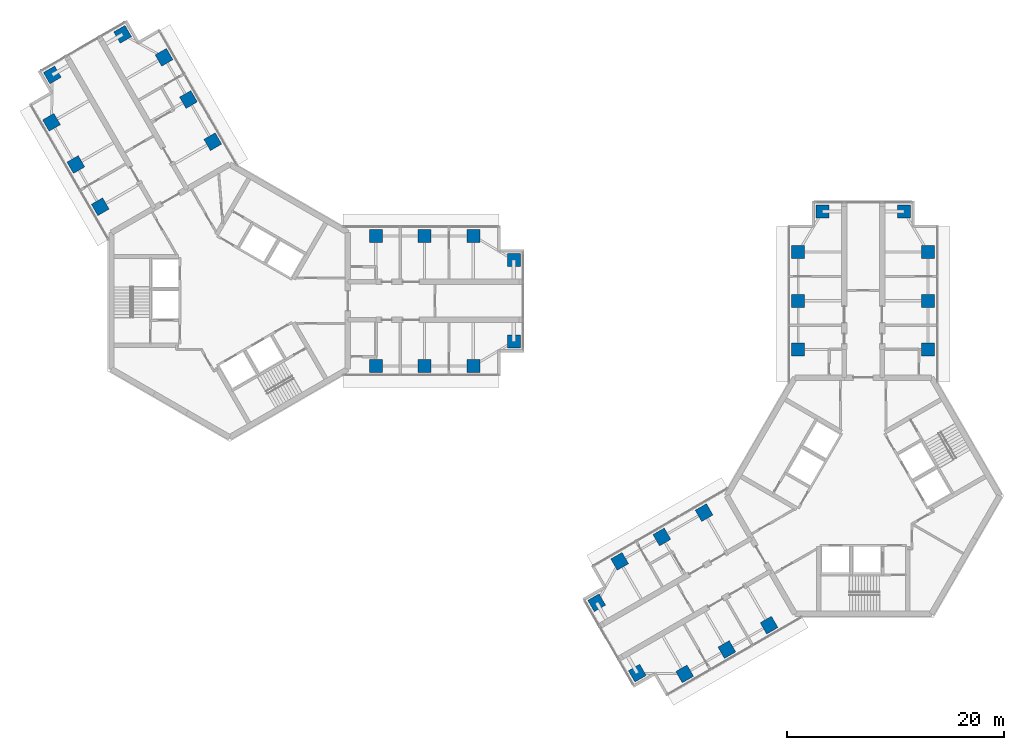
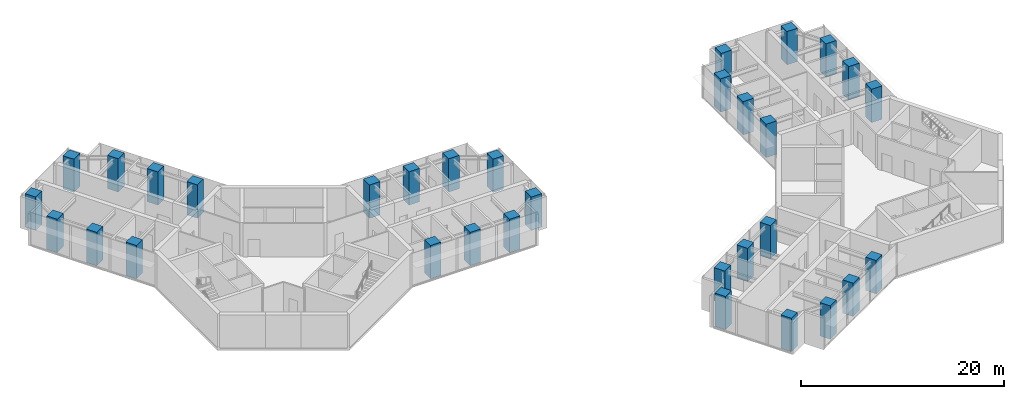
# One storey, part 1 of 17: 32 columns.
"""IFC4 building model written with IfcOpenShell, lengths in metres."""

import ifcopenshell
import ifcopenshell.guid

model = None  # the IFC model being written
_history = None  # IfcOwnerHistory: only IFC2X3 demands one
_inside = {}  # id of a spatial element -> (the spatial element, [elements in it])
_under = {}  # id of a project, library or spatial element -> (it, [spatial elements below it])
_declared = {}  # id of a project -> (the project, [libraries it declares])
_typed = {}  # id of a type object -> (the type object, [elements of that type])
_made_of = {}  # id of a material, layer set ... -> (it, [elements and type objects made of it])


def new_model(schema):
    """Start an empty IFC model of exactly this schema.

    Asked for "IFC4X3", IfcOpenShell would pick the latest addendum, in which some entities
    have other attributes; the version numbers below select the first issue.
    IFC2X3 requires an IfcOwnerHistory on every rooted entity: one is made here for all.
    """
    global model, _history
    if schema == "IFC4X3":
        model = ifcopenshell.file(schema_version=(4, 3, 0, 0))
    else:
        model = ifcopenshell.file(schema=schema)
    _inside.clear()
    _under.clear()
    _declared.clear()
    _typed.clear()
    _made_of.clear()
    _history = None
    if model.schema == "IFC2X3":
        org = make("IfcOrganization", Name="unknown")
        user = make(
            "IfcPersonAndOrganization",
            ThePerson=make("IfcPerson", FamilyName="unknown"),
            TheOrganization=org,
        )
        app = make(
            "IfcApplication",
            ApplicationDeveloper=org,
            Version="unknown",
            ApplicationFullName="unknown",
            ApplicationIdentifier="unknown",
        )
        _history = make(
            "IfcOwnerHistory",
            OwningUser=user,
            OwningApplication=app,
            ChangeAction="ADDED",
            CreationDate=0,
        )
    return model


def make(cls, **values):
    """One entity of the class cls with the attributes given. An attribute that is None is left unset."""
    return model.create_entity(
        cls, **{name: value for name, value in values.items() if value is not None}
    )


def rooted(cls, **values):
    """An entity with a GlobalId (a new one), such as an element, a storey or a relation."""
    return make(cls, GlobalId=ifcopenshell.guid.new(), OwnerHistory=_history, **values)


def si_unit(unit_type, name, prefix=None):
    """IfcSIUnit, for example si_unit("LENGTHUNIT", "METRE", prefix="MILLI")."""
    return make("IfcSIUnit", UnitType=unit_type, Prefix=prefix, Name=name)


def assignment(units):
    """IfcUnitAssignment: the units of a project."""
    return None if units is None else make("IfcUnitAssignment", Units=units)


def point(xyz):
    """IfcCartesianPoint."""
    return None if xyz is None else make("IfcCartesianPoint", Coordinates=xyz)


def direction(xyz):
    """IfcDirection."""
    return None if xyz is None else make("IfcDirection", DirectionRatios=xyz)


def frame(location, z_axis=None, x_axis=None):
    """IfcAxis2Placement3D, a coordinate frame: its origin and axes. An axis left out is left unset."""
    return make(
        "IfcAxis2Placement3D",
        Location=point(location),
        Axis=direction(z_axis),
        RefDirection=direction(x_axis),
    )


def frame_2d(location, x_axis=None):
    """IfcAxis2Placement2D, a coordinate frame in the plane: its origin and x axis."""
    return make(
        "IfcAxis2Placement2D", Location=point(location), RefDirection=direction(x_axis)
    )


def origin():
    """The frame at (0, 0, 0) with its axes left unset."""
    return frame((0.0, 0.0, 0.0))


def origin_2d():
    """The frame at (0, 0) in the plane with its x axis left unset."""
    return frame_2d((0.0, 0.0))


def place(relative_to, where):
    """IfcLocalPlacement: puts the frame where relative to a parent placement (None: the world)."""
    return make(
        "IfcLocalPlacement", PlacementRelTo=relative_to, RelativePlacement=where
    )


def context(
    kind, dimensions, precision=None, world=None, true_north=None, identifier=None
):
    """IfcGeometricRepresentationContext, for example the 3D "Model" context."""
    return make(
        "IfcGeometricRepresentationContext",
        ContextIdentifier=identifier,
        ContextType=kind,
        CoordinateSpaceDimension=dimensions,
        Precision=precision,
        WorldCoordinateSystem=world,
        TrueNorth=true_north,
    )


def subcontext(parent, identifier, kind, view, scale=None):
    """IfcGeometricRepresentationSubContext, for example "Body" below "Model"."""
    return make(
        "IfcGeometricRepresentationSubContext",
        ContextIdentifier=identifier,
        ContextType=kind,
        ParentContext=parent,
        TargetScale=scale,
        TargetView=view,
    )


def project(units=None, contexts=None):
    """IfcProject with its units and contexts."""
    return rooted(
        "IfcProject",
        Name="project",
        RepresentationContexts=contexts,
        UnitsInContext=assignment(units),
    )


def spatial(cls, under=None, at=None, **own):
    """A site, building, storey or space (cls), placed at a placement, below another one or the project."""
    s = rooted(cls, ObjectPlacement=at, **own)
    if under is not None:
        _under.setdefault(under.id(), (under, []))[1].append(s)
    return s


def profile(cls, at=None, kind="AREA", **sizes):
    """A parametric profile (cls). Its sizes go by their IFC names, for example OverallWidth=200.0."""
    return make(cls, ProfileType=kind, Position=at, **sizes)


def rectangle(**sizes):
    """IfcRectangleProfileDef."""
    return profile("IfcRectangleProfileDef", **sizes)


def extrude(swept, where, along, depth):
    """IfcExtrudedAreaSolid: the profile swept, set in the frame where, extruded along a direction by depth."""
    return make(
        "IfcExtrudedAreaSolid",
        SweptArea=swept,
        Position=where,
        ExtrudedDirection=direction(along),
        Depth=depth,
    )


def shape(context_of_items, identifier, shape_type, items):
    """IfcShapeRepresentation: the items that make up one representation, for example the "Body"."""
    return make(
        "IfcShapeRepresentation",
        ContextOfItems=context_of_items,
        RepresentationIdentifier=identifier,
        RepresentationType=shape_type,
        Items=items,
    )


def material(Name=None, Category=None):
    """IfcMaterial."""
    return make("IfcMaterial", Name=Name, Category=Category)


def material_profile(
    of_material, cross_section, Name=None, Category=None, Priority=None
):
    """IfcMaterialProfile: a cross section and its material."""
    return make(
        "IfcMaterialProfile",
        Name=Name,
        Material=of_material,
        Profile=cross_section,
        Priority=Priority,
        Category=Category,
    )


def profile_set(profiles, Name=None, composite=None):
    """IfcMaterialProfileSet."""
    return make(
        "IfcMaterialProfileSet",
        Name=Name,
        MaterialProfiles=profiles,
        CompositeProfile=composite,
    )


def made_of(thing, what):
    """Note that an element or type object is made of a material, layer set ...; save() writes the relation."""
    if what is not None:
        _made_of.setdefault(what.id(), (what, []))[1].append(thing)
    return thing


def type_object(cls, material=None, **own):
    """A type object (cls), such as IfcWallType, which elements share."""
    return made_of(rooted(cls, **own), material)


def element(
    cls,
    number,
    at=None,
    inside=None,
    cuts=None,
    type_object=None,
    material=None,
    context=None,
    identifier="Body",
    shape_type=None,
    held_by="IfcProductDefinitionShape",
    body=None,
    shapes=None,
    **own,
):
    """One element of the class cls, such as IfcWall. Its Tag is "e" and its number.

    at: its placement. inside: the storey or other place that contains it. cuts: it is an
    opening in that element (IfcRelVoidsElement). A single representation is given by context,
    identifier, shape_type and body (its items); several are given by shapes. held_by: the class
    of the entity that holds the representations. save() writes the other relations.
    """
    e = rooted(cls, Tag="e%d" % number, ObjectPlacement=at, **own)
    if body is not None:
        shapes = [shape(context, identifier, shape_type, body)]
    if shapes is not None:
        e.Representation = make(held_by, Representations=shapes)
    if inside is not None:
        _inside.setdefault(inside.id(), (inside, []))[1].append(e)
    if cuts is not None:
        rooted(
            "IfcRelVoidsElement", RelatingBuildingElement=cuts, RelatedOpeningElement=e
        )
    if type_object is not None:
        _typed.setdefault(type_object.id(), (type_object, []))[1].append(e)
    return made_of(e, material)


def aggregate(whole, parts):
    """IfcRelAggregates: a whole, such as a stair, and the parts it consists of."""
    return rooted("IfcRelAggregates", RelatingObject=whole, RelatedObjects=parts)


def save(model, path):
    """Write the relations noted so far, then the file.

    IfcRelAggregates (storeys below a building ...), IfcRelContainedInSpatialStructure (elements
    in a storey), IfcRelDefinesByType, IfcRelAssociatesMaterial and IfcRelDeclares: one each for
    every whole, place, type object, material and project.
    """
    for whole, parts in _under.values():
        aggregate(whole, parts)
    for where, things in _inside.values():
        rooted(
            "IfcRelContainedInSpatialStructure",
            RelatedElements=things,
            RelatingStructure=where,
        )
    for kind, things in _typed.values():
        rooted("IfcRelDefinesByType", RelatedObjects=things, RelatingType=kind)
    for what, things in _made_of.values():
        rooted("IfcRelAssociatesMaterial", RelatedObjects=things, RelatingMaterial=what)
    for by, libraries in _declared.values():
        rooted("IfcRelDeclares", RelatingContext=by, RelatedDefinitions=libraries)
    model.write(path)


model = new_model("IFC4")

# Units and contexts
model_context = context("Model", 3, precision=1e-05, world=origin(), true_north=direction((0.0, 1.0)))
body_context = subcontext(model_context, "Body", "Model", "MODEL_VIEW")
ifc_project = project(units=[si_unit("LENGTHUNIT", "METRE"), si_unit("AREAUNIT", "SQUARE_METRE"), si_unit("VOLUMEUNIT", "CUBIC_METRE"), si_unit("PLANEANGLEUNIT", "RADIAN"), si_unit("MASSUNIT", "GRAM", prefix="KILO")], contexts=[model_context])

# Site, building, storey
site_placement = place(None, origin())
site = spatial("IfcSite", under=ifc_project, at=site_placement, CompositionType="ELEMENT")
building_placement = place(site_placement, origin())
building = spatial("IfcBuilding", under=site, at=building_placement, Name="Upepo Twin Towers", CompositionType="ELEMENT")
storey_placement = place(building_placement, frame((0.0, 0.0, 186.5)))
storey = spatial("IfcBuildingStorey", under=building, at=storey_placement, Name="L45", CompositionType="ELEMENT", Elevation=186.5)

# Columns
ifc_material = material(Name="Concrete C60/75", Category="concrete")
ifc_material_profile = material_profile(ifc_material, rectangle(XDim=1.199951171875, YDim=1.199951171875, at=origin_2d()), Name="RC 1200x1200")
ifc_profile_set = profile_set([ifc_material_profile], Name="Concrete C60/75")
column_type = type_object("IfcColumnType", Name="Tower column RC 1200x1200", PredefinedType="COLUMN", material=ifc_profile_set)
for number, where, z_axis, x_axis, name in (
    (1, (13.5, 6.0, 0.0), (0.0, 0.0, 1.0), (1.0, 0.0, 0.0), "T1 column AL135"),
    (2, (13.5, -6.0, 0.0), (0.0, 0.0, 1.0), (1.0, 0.0, 0.0), "T1 column AR135"),
    (3, (18.0, 6.0, 0.0), (0.0, 0.0, 1.0), (1.0, 0.0, 0.0), "T1 column AL180"),
    (4, (18.0, -6.0, 0.0), (0.0, 0.0, 1.0), (1.0, 0.0, 0.0), "T1 column AR180"),
    (5, (22.5, 6.0, 0.0), (0.0, 0.0, 1.0), (1.0, 0.0, 0.0), "T1 column AL225"),
    (6, (22.5, -6.0, 0.0), (0.0, 0.0, 1.0), (1.0, 0.0, 0.0), "T1 column AR225"),
    (7, (26.25, 3.75, 0.0), (0.0, 0.0, 1.0), (1.0, 0.0, 0.0), "T1 column ALN"),
    (8, (26.25, -3.75, 0.0), (0.0, 0.0, 1.0), (1.0, 0.0, 0.0), "T1 column ARN"),
    (9, (-11.946044921875, 8.69140625, 0.0), (0.0, 0.0, 1.0), (0.866025403784, 0.5, 0.0), "T1 column BL135"),
    (10, (-1.553955078125, 14.69140625, 0.0), (0.0, 0.0, 1.0), (0.866025403784, 0.5, 0.0), "T1 column BR135"),
    (11, (-14.196044921875, 12.58837890625, 0.0), (0.0, 0.0, 1.0), (0.866025403784, 0.5, 0.0), "T1 column BL180"),
    (12, (-3.803955078125, 18.58837890625, 0.0), (0.0, 0.0, 1.0), (0.866025403784, 0.5, 0.0), "T1 column BR180"),
    (13, (-16.446044921875, 16.485595703125, 0.0), (0.0, 0.0, 1.0), (0.866025403784, 0.5, 0.0), "T1 column BL225"),
    (14, (-6.053955078125, 22.485595703125, 0.0), (0.0, 0.0, 1.0), (0.866025403784, 0.5, 0.0), "T1 column BR225"),
    (15, (-16.37255859375, 20.858154296875, 0.0), (0.0, 0.0, 1.0), (0.866025403784, 0.5, 0.0), "T1 column BLN"),
    (16, (-9.87744140625, 24.608154296875, 0.0), (0.0, 0.0, 1.0), (0.866025403784, 0.5, 0.0), "T1 column BRN"),
    (17, (52.5, -4.5, 0.0), (0.0, 0.0, 1.0), (1.0, 0.0, 0.0), "T2 column AL135"),
    (18, (64.5, -4.5, 0.0), (0.0, 0.0, 1.0), (1.0, 0.0, 0.0), "T2 column AR135"),
    (19, (52.5, 0.0, 0.0), (0.0, 0.0, 1.0), (1.0, 0.0, 0.0), "T2 column AL180"),
    (20, (64.5, 0.0, 0.0), (0.0, 0.0, 1.0), (1.0, 0.0, 0.0), "T2 column AR180"),
    (21, (52.5, 4.5, 0.0), (0.0, 0.0, 1.0), (1.0, 0.0, 0.0), "T2 column AL225"),
    (22, (64.5, 4.5, 0.0), (0.0, 0.0, 1.0), (1.0, 0.0, 0.0), "T2 column AR225"),
    (23, (54.75, 8.25, 0.0), (0.0, 0.0, 1.0), (1.0, 0.0, 0.0), "T2 column ALN"),
    (24, (62.25, 8.25, 0.0), (0.0, 0.0, 1.0), (1.0, 0.0, 0.0), "T2 column ARN"),
    (25, (49.80859375, -29.946044921875, 0.0), (0.0, 0.0, 1.0), (0.866025403784, 0.5, 0.0), "T2 column BL135"),
    (26, (43.80859375, -19.553955078125, 0.0), (0.0, 0.0, 1.0), (0.866025403784, 0.5, 0.0), "T2 column BR135"),
    (27, (45.91162109375, -32.196044921875, 0.0), (0.0, 0.0, 1.0), (0.866025403784, 0.5, 0.0), "T2 column BL180"),
    (28, (39.91162109375, -21.803955078125, 0.0), (0.0, 0.0, 1.0), (0.866025403784, 0.5, 0.0), "T2 column BR180"),
    (29, (42.014404296875, -34.446044921875, 0.0), (0.0, 0.0, 1.0), (0.866025403784, 0.5, 0.0), "T2 column BL225"),
    (30, (36.014404296875, -24.053955078125, 0.0), (0.0, 0.0, 1.0), (0.866025403784, 0.5, 0.0), "T2 column BR225"),
    (31, (37.641845703125, -34.37255859375, 0.0), (0.0, 0.0, 1.0), (0.866025403784, 0.5, 0.0), "T2 column BLN"),
    (32, (33.891845703125, -27.87744140625, 0.0), (0.0, 0.0, 1.0), (0.866025403784, 0.5, 0.0), "T2 column BRN"),
):
    element("IfcColumn", number, at=place(storey_placement, frame(where, z_axis=z_axis, x_axis=x_axis)), inside=storey, type_object=column_type, Name=name, PredefinedType="COLUMN", context=body_context, shape_type="SweptSolid", body=[
        extrude(rectangle(XDim=1.199951171875, YDim=1.199951171875, at=origin_2d()), origin(), (0.0, 0.0, 1.0), 4.0),
    ])

save(model, "model.ifc")
